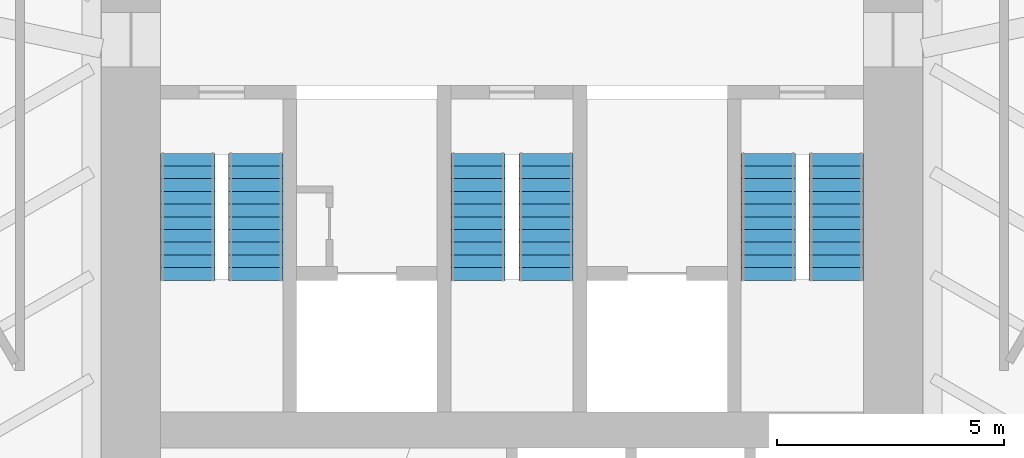
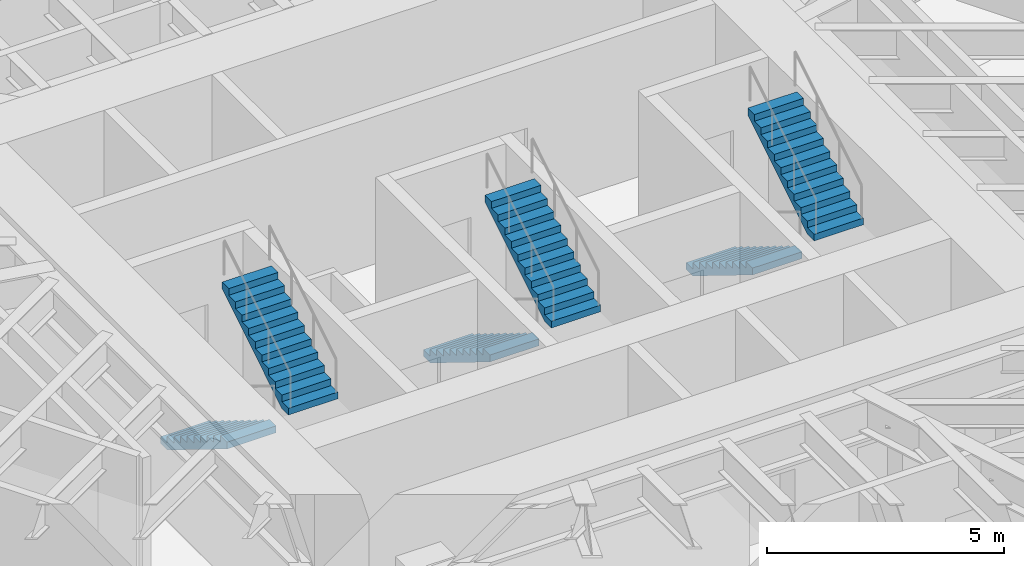
# One storey, part 235 of 238: 6 stair flights, 3 elements without a shape of their own.
"""IFC4 building model written with IfcOpenShell, lengths in metres."""

from ifc_helpers import new_model, si_unit, direction, frame, origin, place, context, subcontext, project, spatial, polyline, outline, extrude, material, type_object, element, aggregate, save


model = new_model("IFC4")

# Units and contexts
model_context = context("Model", 3, precision=1e-05, world=origin(), true_north=direction((0.0, 1.0)))
body_context = subcontext(model_context, "Body", "Model", "MODEL_VIEW")
ifc_project = project(units=[si_unit("LENGTHUNIT", "METRE"), si_unit("AREAUNIT", "SQUARE_METRE"), si_unit("VOLUMEUNIT", "CUBIC_METRE"), si_unit("PLANEANGLEUNIT", "RADIAN"), si_unit("MASSUNIT", "GRAM", prefix="KILO")], contexts=[model_context])

# Site, building, storey
site_placement = place(None, origin())
site = spatial("IfcSite", under=ifc_project, at=site_placement, CompositionType="ELEMENT")
building_placement = place(site_placement, origin())
building = spatial("IfcBuilding", under=site, at=building_placement, Name="Sandreach Pilgrim Tower", CompositionType="ELEMENT")
storey_placement = place(building_placement, frame((0.0, 0.0, 96.800048828125)))
storey = spatial("IfcBuildingStorey", under=building, at=storey_placement, Name="L23", CompositionType="ELEMENT", Elevation=96.800048828125)

# Stair, stair flights
ifc_material_1 = material(Name="Concrete 8000 psi", Category="concrete")
stair_type = type_object("IfcStairType", Name="Core exit stair", PredefinedType="HALF_TURN_STAIR", material=ifc_material_1)
stair_1_placement = place(storey_placement, origin())
stair_1 = element("IfcStair", 1, at=stair_1_placement, inside=storey, type_object=stair_type, Name="Exit stair ST1 L23", PredefinedType="HALF_TURN_STAIR")
ifc_material_2 = material(Name="Concrete 8000 psi", Category="concrete")
stair_flight_type = type_object("IfcStairFlightType", Name="Core stair flight 1200", PredefinedType="STRAIGHT", material=ifc_material_2)
stair_flight_1_placement = place(storey_placement, frame((-7.14990234375, -0.39990234375, 0.0), z_axis=(0.0, 0.0, 1.0), x_axis=(0.0, -1.0, 0.0)))
stair_flight_1 = element("IfcStairFlight", 2, at=stair_flight_1_placement, type_object=stair_flight_type, Name="ST1 flight 1", NumberOfRisers=11, NumberOfTreads=10, PredefinedType="STRAIGHT", RiserHeight=0.172727273, TreadLength=0.28, context=body_context, shape_type="SweptSolid", body=[
    extrude(outline(polyline([(0.0, 0.0), (0.0, 0.172607421875), (0.280029296875, 0.172607421875), (0.280029296875, 0.345458984375), (0.56005859375, 0.345458984375), (0.56005859375, 0.51806640625), (0.840087890625, 0.51806640625), (0.840087890625, 0.69091796875), (1.1201171875, 0.69091796875), (1.1201171875, 0.863525390625), (1.39990234375, 0.863525390625), (1.39990234375, 1.036376953125), (1.679931640625, 1.036376953125), (1.679931640625, 1.208984375), (1.9599609375, 1.208984375), (1.9599609375, 1.3818359375), (2.239990234375, 1.3818359375), (2.239990234375, 1.554443359375), (2.52001953125, 1.554443359375), (2.52001953125, 1.727294921875), (2.800048828125, 1.727294921875), (2.800048828125, 1.89990234375), (2.800048828125, 1.551025390625), (0.285400390625, 0.0), (0.0, 0.0)])), frame((0.0, 0.60009765625, 0.0), z_axis=(0.0, -1.0, 0.0), x_axis=(1.0, 0.0, 0.0)), (0.0, 0.0, 1.0), 1.199951171875),
])
stair_flight_2_placement = place(storey_placement, frame((-5.64990234375, -3.199951171875, 1.89990234375), z_axis=(0.0, 0.0, 1.0), x_axis=(0.0, 1.0, 0.0)))
stair_flight_2 = element("IfcStairFlight", 3, at=stair_flight_2_placement, type_object=stair_flight_type, Name="ST1 flight 2", NumberOfRisers=11, NumberOfTreads=10, PredefinedType="STRAIGHT", RiserHeight=0.172727273, TreadLength=0.28, context=body_context, shape_type="SweptSolid", body=[
    extrude(outline(polyline([(0.0, 0.0), (0.0, 0.172607421875), (0.280029296875, 0.172607421875), (0.280029296875, 0.345458984375), (0.56005859375, 0.345458984375), (0.56005859375, 0.51806640625), (0.840087890625, 0.51806640625), (0.840087890625, 0.69091796875), (1.1201171875, 0.69091796875), (1.1201171875, 0.863525390625), (1.39990234375, 0.863525390625), (1.39990234375, 1.036376953125), (1.679931640625, 1.036376953125), (1.679931640625, 1.208984375), (1.9599609375, 1.208984375), (1.9599609375, 1.3818359375), (2.239990234375, 1.3818359375), (2.239990234375, 1.554443359375), (2.52001953125, 1.554443359375), (2.52001953125, 1.727294921875), (2.800048828125, 1.727294921875), (2.800048828125, 1.89990234375), (2.800048828125, 1.551025390625), (0.285400390625, 0.0), (0.0, 0.0)])), frame((0.0, 0.60009765625, 0.0), z_axis=(0.0, -1.0, 0.0), x_axis=(1.0, 0.0, 0.0)), (0.0, 0.0, 1.0), 1.199951171875),
])
aggregate(stair_1, [stair_flight_1, stair_flight_2])

stair_2_placement = place(storey_placement, origin())
stair_2 = element("IfcStair", 4, at=stair_2_placement, inside=storey, type_object=stair_type, Name="Exit stair ST3 L23", PredefinedType="HALF_TURN_STAIR")
stair_flight_3_placement = place(storey_placement, frame((-0.75, -0.39990234375, 0.0), z_axis=(0.0, 0.0, 1.0), x_axis=(0.0, -1.0, 0.0)))
stair_flight_3 = element("IfcStairFlight", 5, at=stair_flight_3_placement, type_object=stair_flight_type, Name="ST3 flight 1", NumberOfRisers=11, NumberOfTreads=10, PredefinedType="STRAIGHT", RiserHeight=0.172727273, TreadLength=0.28, context=body_context, shape_type="SweptSolid", body=[
    extrude(outline(polyline([(0.0, 0.0), (0.0, 0.172607421875), (0.280029296875, 0.172607421875), (0.280029296875, 0.345458984375), (0.56005859375, 0.345458984375), (0.56005859375, 0.51806640625), (0.840087890625, 0.51806640625), (0.840087890625, 0.69091796875), (1.1201171875, 0.69091796875), (1.1201171875, 0.863525390625), (1.39990234375, 0.863525390625), (1.39990234375, 1.036376953125), (1.679931640625, 1.036376953125), (1.679931640625, 1.208984375), (1.9599609375, 1.208984375), (1.9599609375, 1.3818359375), (2.239990234375, 1.3818359375), (2.239990234375, 1.554443359375), (2.52001953125, 1.554443359375), (2.52001953125, 1.727294921875), (2.800048828125, 1.727294921875), (2.800048828125, 1.89990234375), (2.800048828125, 1.551025390625), (0.285400390625, 0.0), (0.0, 0.0)])), frame((0.0, 0.60009765625, 0.0), z_axis=(0.0, -1.0, 0.0), x_axis=(1.0, 0.0, 0.0)), (0.0, 0.0, 1.0), 1.199951171875),
])
stair_flight_4_placement = place(storey_placement, frame((0.75, -3.199951171875, 1.89990234375), z_axis=(0.0, 0.0, 1.0), x_axis=(0.0, 1.0, 0.0)))
stair_flight_4 = element("IfcStairFlight", 6, at=stair_flight_4_placement, type_object=stair_flight_type, Name="ST3 flight 2", NumberOfRisers=11, NumberOfTreads=10, PredefinedType="STRAIGHT", RiserHeight=0.172727273, TreadLength=0.28, context=body_context, shape_type="SweptSolid", body=[
    extrude(outline(polyline([(0.0, 0.0), (0.0, 0.172607421875), (0.280029296875, 0.172607421875), (0.280029296875, 0.345458984375), (0.56005859375, 0.345458984375), (0.56005859375, 0.51806640625), (0.840087890625, 0.51806640625), (0.840087890625, 0.69091796875), (1.1201171875, 0.69091796875), (1.1201171875, 0.863525390625), (1.39990234375, 0.863525390625), (1.39990234375, 1.036376953125), (1.679931640625, 1.036376953125), (1.679931640625, 1.208984375), (1.9599609375, 1.208984375), (1.9599609375, 1.3818359375), (2.239990234375, 1.3818359375), (2.239990234375, 1.554443359375), (2.52001953125, 1.554443359375), (2.52001953125, 1.727294921875), (2.800048828125, 1.727294921875), (2.800048828125, 1.89990234375), (2.800048828125, 1.551025390625), (0.285400390625, 0.0), (0.0, 0.0)])), frame((0.0, 0.60009765625, 0.0), z_axis=(0.0, -1.0, 0.0), x_axis=(1.0, 0.0, 0.0)), (0.0, 0.0, 1.0), 1.199951171875),
])
aggregate(stair_2, [stair_flight_3, stair_flight_4])

stair_3_placement = place(storey_placement, origin())
stair_3 = element("IfcStair", 7, at=stair_3_placement, inside=storey, type_object=stair_type, Name="Exit stair ST2 L23", PredefinedType="HALF_TURN_STAIR")
stair_flight_5_placement = place(storey_placement, frame((5.64990234375, -0.39990234375, 0.0), z_axis=(0.0, 0.0, 1.0), x_axis=(0.0, -1.0, 0.0)))
stair_flight_5 = element("IfcStairFlight", 8, at=stair_flight_5_placement, type_object=stair_flight_type, Name="ST2 flight 1", NumberOfRisers=11, NumberOfTreads=10, PredefinedType="STRAIGHT", RiserHeight=0.172727273, TreadLength=0.28, context=body_context, shape_type="SweptSolid", body=[
    extrude(outline(polyline([(0.0, 0.0), (0.0, 0.172607421875), (0.280029296875, 0.172607421875), (0.280029296875, 0.345458984375), (0.56005859375, 0.345458984375), (0.56005859375, 0.51806640625), (0.840087890625, 0.51806640625), (0.840087890625, 0.69091796875), (1.1201171875, 0.69091796875), (1.1201171875, 0.863525390625), (1.39990234375, 0.863525390625), (1.39990234375, 1.036376953125), (1.679931640625, 1.036376953125), (1.679931640625, 1.208984375), (1.9599609375, 1.208984375), (1.9599609375, 1.3818359375), (2.239990234375, 1.3818359375), (2.239990234375, 1.554443359375), (2.52001953125, 1.554443359375), (2.52001953125, 1.727294921875), (2.800048828125, 1.727294921875), (2.800048828125, 1.89990234375), (2.800048828125, 1.551025390625), (0.285400390625, 0.0), (0.0, 0.0)])), frame((0.0, 0.60009765625, 0.0), z_axis=(0.0, -1.0, 0.0), x_axis=(1.0, 0.0, 0.0)), (0.0, 0.0, 1.0), 1.199951171875),
])
stair_flight_6_placement = place(storey_placement, frame((7.14990234375, -3.199951171875, 1.89990234375), z_axis=(0.0, 0.0, 1.0), x_axis=(0.0, 1.0, 0.0)))
stair_flight_6 = element("IfcStairFlight", 9, at=stair_flight_6_placement, type_object=stair_flight_type, Name="ST2 flight 2", NumberOfRisers=11, NumberOfTreads=10, PredefinedType="STRAIGHT", RiserHeight=0.172727273, TreadLength=0.28, context=body_context, shape_type="SweptSolid", body=[
    extrude(outline(polyline([(0.0, 0.0), (0.0, 0.172607421875), (0.280029296875, 0.172607421875), (0.280029296875, 0.345458984375), (0.56005859375, 0.345458984375), (0.56005859375, 0.51806640625), (0.840087890625, 0.51806640625), (0.840087890625, 0.69091796875), (1.1201171875, 0.69091796875), (1.1201171875, 0.863525390625), (1.39990234375, 0.863525390625), (1.39990234375, 1.036376953125), (1.679931640625, 1.036376953125), (1.679931640625, 1.208984375), (1.9599609375, 1.208984375), (1.9599609375, 1.3818359375), (2.239990234375, 1.3818359375), (2.239990234375, 1.554443359375), (2.52001953125, 1.554443359375), (2.52001953125, 1.727294921875), (2.800048828125, 1.727294921875), (2.800048828125, 1.89990234375), (2.800048828125, 1.551025390625), (0.285400390625, 0.0), (0.0, 0.0)])), frame((0.0, 0.60009765625, 0.0), z_axis=(0.0, -1.0, 0.0), x_axis=(1.0, 0.0, 0.0)), (0.0, 0.0, 1.0), 1.199951171875),
])
aggregate(stair_3, [stair_flight_5, stair_flight_6])

save(model, "model.ifc")
